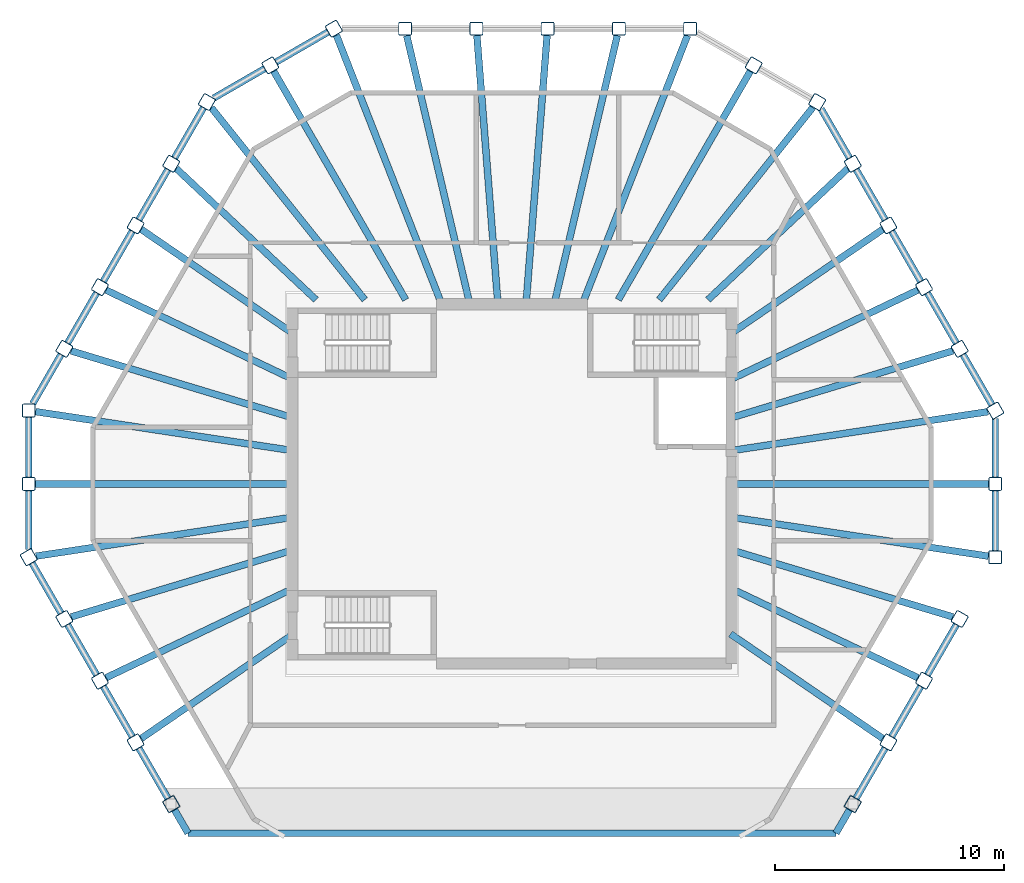
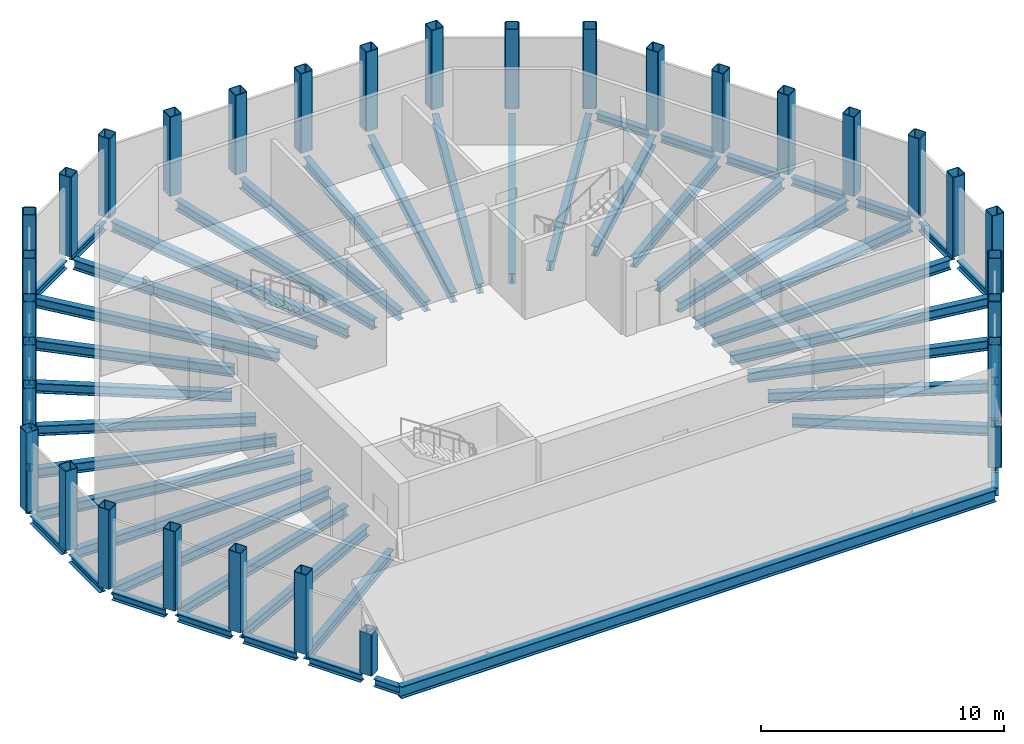
# One storey, part 1 of 5: 56 beams, 32 columns.
"""IFC4 building model written with IfcOpenShell, lengths in metres."""

from ifc_helpers import new_model, si_unit, direction, frame, origin, origin_2d, place, context, subcontext, project, spatial, hollow_rectangle, i_section, extrude, material, material_profile, profile_set, type_object, element, save


model = new_model("IFC4")

# Units and contexts
model_context = context("Model", 3, precision=1e-05, world=origin(), true_north=direction((0.0, 1.0)))
body_context = subcontext(model_context, "Body", "Model", "MODEL_VIEW")
ifc_project = project(units=[si_unit("LENGTHUNIT", "METRE"), si_unit("AREAUNIT", "SQUARE_METRE"), si_unit("VOLUMEUNIT", "CUBIC_METRE"), si_unit("PLANEANGLEUNIT", "RADIAN"), si_unit("MASSUNIT", "GRAM", prefix="KILO")], contexts=[model_context])

# Site, building, storey
site_placement = place(None, origin())
site = spatial("IfcSite", under=ifc_project, at=site_placement, CompositionType="ELEMENT")
building_placement = place(site_placement, origin())
building = spatial("IfcBuilding", under=site, at=building_placement, Name="Frailejon Research Tower", CompositionType="ELEMENT")
storey_placement = place(building_placement, frame((0.0, 0.0, 348.60009765625)))
storey = spatial("IfcBuildingStorey", under=building, at=storey_placement, Name="L78", CompositionType="ELEMENT", Elevation=348.60009765625)

# Columns
ifc_material_1 = material(Name="Steel S355", Category="steel")
ifc_material_profile_1 = material_profile(ifc_material_1, hollow_rectangle(XDim=0.60009765625, YDim=0.60009765625, WallThickness=0.0400390625, InnerFilletRadius=0.0400390625, OuterFilletRadius=0.080078125, at=origin_2d()), Name="Crown column")
ifc_profile_set_1 = profile_set([ifc_material_profile_1], Name="Steel S355")
column_type = type_object("IfcColumnType", Name="Crown column", PredefinedType="COLUMN", material=ifc_profile_set_1)
for number, where, z_axis, x_axis, name in (
    (1, (21.12744140625, -3.2060546875, 0.0), (0.0, 0.0, 1.0), (0.0, 1.0, 0.0), "Column C01"),
    (2, (21.12744140625, 0.0, 0.0), (0.0, 0.0, 1.0), (0.0, 1.0, 0.0), "Column C02"),
    (3, (21.12744140625, 3.2060546875, 0.0), (0.0, 0.0, 1.0), (-0.5, 0.866025403784, 0.0), "Column C03"),
    (4, (19.570068359375, 5.903564453125, 0.0), (0.0, 0.0, 1.0), (-0.5, 0.866025403784, 0.0), "Column C04"),
    (5, (18.0126953125, 8.601318359375, 0.0), (0.0, 0.0, 1.0), (-0.5, 0.866025403784, 0.0), "Column C05"),
    (6, (16.455078125, 11.298828125, 0.0), (0.0, 0.0, 1.0), (-0.5, 0.866025403784, 0.0), "Column C06"),
    (7, (14.897705078125, 13.996337890625, 0.0), (0.0, 0.0, 1.0), (-0.5, 0.866025403784, 0.0), "Column C07"),
    (8, (13.34033203125, 16.69384765625, 0.0), (0.0, 0.0, 1.0), (-0.866025403784, 0.5, 0.0), "Column C08"),
    (9, (10.563720703125, 18.297119140625, 0.0), (0.0, 0.0, 1.0), (-0.866025403784, 0.5, 0.0), "Column C09"),
    (10, (7.787109375, 19.89990234375, 0.0), (0.0, 0.0, 1.0), (-1.0, 0.0, 0.0), "Column C10"),
    (11, (4.67236328125, 19.89990234375, 0.0), (0.0, 0.0, 1.0), (-1.0, 0.0, 0.0), "Column C11"),
    (12, (1.557373046875, 19.89990234375, 0.0), (0.0, 0.0, 1.0), (-1.0, 0.0, 0.0), "Column C12"),
    (13, (-1.557373046875, 19.89990234375, 0.0), (0.0, 0.0, 1.0), (-1.0, 0.0, 0.0), "Column C13"),
    (14, (-4.67236328125, 19.89990234375, 0.0), (0.0, 0.0, 1.0), (-1.0, 0.0, 0.0), "Column C14"),
    (15, (-7.787109375, 19.89990234375, 0.0), (0.0, 0.0, 1.0), (-0.866025403784, -0.5, 0.0), "Column C15"),
    (16, (-10.563720703125, 18.297119140625, 0.0), (0.0, 0.0, 1.0), (-0.866025403784, -0.5, 0.0), "Column C16"),
    (17, (-13.34033203125, 16.69384765625, 0.0), (0.0, 0.0, 1.0), (-0.5, -0.866025403784, 0.0), "Column C17"),
    (18, (-14.897705078125, 13.996337890625, 0.0), (0.0, 0.0, 1.0), (-0.5, -0.866025403784, 0.0), "Column C18"),
    (19, (-16.455078125, 11.298828125, 0.0), (0.0, 0.0, 1.0), (-0.5, -0.866025403784, 0.0), "Column C19"),
    (20, (-18.0126953125, 8.601318359375, 0.0), (0.0, 0.0, 1.0), (-0.5, -0.866025403784, 0.0), "Column C20"),
    (21, (-19.570068359375, 5.903564453125, 0.0), (0.0, 0.0, 1.0), (-0.5, -0.866025403784, 0.0), "Column C21"),
    (22, (-21.12744140625, 3.2060546875, 0.0), (0.0, 0.0, 1.0), (0.0, -1.0, 0.0), "Column C22"),
    (23, (-21.12744140625, 0.0, 0.0), (0.0, 0.0, 1.0), (0.0, -1.0, 0.0), "Column C23"),
    (24, (-21.12744140625, -3.2060546875, 0.0), (0.0, 0.0, 1.0), (0.5, -0.866025403784, 0.0), "Column C24"),
    (25, (-19.570068359375, -5.903564453125, 0.0), (0.0, 0.0, 1.0), (0.5, -0.866025403784, 0.0), "Column C25"),
    (26, (-18.0126953125, -8.601318359375, 0.0), (0.0, 0.0, 1.0), (0.5, -0.866025403784, 0.0), "Column C26"),
    (27, (-16.455078125, -11.298828125, 0.0), (0.0, 0.0, 1.0), (0.5, -0.866025403784, 0.0), "Column C27"),
):
    element("IfcColumn", number, at=place(storey_placement, frame(where, z_axis=z_axis, x_axis=x_axis)), inside=storey, type_object=column_type, Name=name, PredefinedType="COLUMN", context=body_context, shape_type="SweptSolid", body=[
        extrude(hollow_rectangle(XDim=0.60009765625, YDim=0.60009765625, WallThickness=0.0400390625, InnerFilletRadius=0.0400390625, OuterFilletRadius=0.080078125, at=origin_2d()), origin(), (0.0, 0.0, 1.0), 4.0),
    ])
for number, where, z_axis, x_axis, name in (
    (28, (-14.897705078125, -13.996337890625, 0.0), (0.0, 0.0, 1.0), (0.5, -0.866025403784, 0.0), "Column C28"),
    (29, (14.897705078125, -13.996337890625, 0.0), (0.0, 0.0, 1.0), (0.5, 0.866025403784, 0.0), "Column C39"),
):
    element("IfcColumn", number, at=place(storey_placement, frame(where, z_axis=z_axis, x_axis=x_axis)), inside=storey, type_object=column_type, Name=name, PredefinedType="COLUMN", context=body_context, shape_type="SweptSolid", body=[
        extrude(hollow_rectangle(XDim=0.60009765625, YDim=0.60009765625, WallThickness=0.0400390625, InnerFilletRadius=0.0400390625, OuterFilletRadius=0.080078125, at=origin_2d()), origin(), (0.0, 0.0, 1.0), 2.111328125),
    ])
for number, where, z_axis, x_axis, name in (
    (30, (16.455078125, -11.298828125, 0.0), (0.0, 0.0, 1.0), (0.5, 0.866025403784, 0.0), "Column C40"),
    (31, (18.0126953125, -8.601318359375, 0.0), (0.0, 0.0, 1.0), (0.5, 0.866025403784, 0.0), "Column C41"),
    (32, (19.570068359375, -5.903564453125, 0.0), (0.0, 0.0, 1.0), (0.5, 0.866025403784, 0.0), "Column C42"),
):
    element("IfcColumn", number, at=place(storey_placement, frame(where, z_axis=z_axis, x_axis=x_axis)), inside=storey, type_object=column_type, Name=name, PredefinedType="COLUMN", context=body_context, shape_type="SweptSolid", body=[
        extrude(hollow_rectangle(XDim=0.60009765625, YDim=0.60009765625, WallThickness=0.0400390625, InnerFilletRadius=0.0400390625, OuterFilletRadius=0.080078125, at=origin_2d()), origin(), (0.0, 0.0, 1.0), 4.0),
    ])

# Beams
ifc_material_2 = material(Name="Steel S355", Category="steel")
ifc_material_profile_2 = material_profile(ifc_material_2, i_section(OverallWidth=0.300048828125, OverallDepth=0.60009765625, WebThickness=0.015380859375, FlangeThickness=0.030029296875, FilletRadius=0.027099609375, at=origin_2d()), Name="HE 600 B")
ifc_profile_set_2 = profile_set([ifc_material_profile_2], Name="Steel S355")
beam_type_1 = type_object("IfcBeamType", Name="Crown chord beam", PredefinedType="BEAM", material=ifc_profile_set_2)
beam_1_placement = place(storey_placement, frame((14.162841796875, -15.26904296875, -0.5), z_axis=(-1.0, 0.0, 0.0), x_axis=(0.0, -1.0, 0.0)))
element("IfcBeam", 33, at=beam_1_placement, inside=storey, type_object=beam_type_1, Name="Crown chord beam", PredefinedType="BEAM", context=body_context, shape_type="SweptSolid", body=[
    extrude(i_section(OverallWidth=0.300048828125, OverallDepth=0.60009765625, WebThickness=0.015380859375, FlangeThickness=0.030029296875, FilletRadius=0.027099609375, at=origin_2d()), origin(), (0.0, 0.0, 1.0), 28.32568359375),
])
ifc_material_3 = material(Name="Steel S355", Category="steel")
ifc_material_profile_3 = material_profile(ifc_material_3, i_section(OverallWidth=0.300048828125, OverallDepth=0.5, WebThickness=0.014404296875, FlangeThickness=0.028076171875, FilletRadius=0.027099609375, at=origin_2d()), Name="HE 500 B")
ifc_profile_set_3 = profile_set([ifc_material_profile_3], Name="Steel S355")
beam_type_2 = type_object("IfcBeamType", Name="Crown girder", PredefinedType="BEAM", material=ifc_profile_set_3)
beam_2_placement = place(storey_placement, frame((20.827392578125, -3.16064453125, -0.4501953125), z_axis=(-0.988679931641, 0.150039970575, 0.0), x_axis=(-0.150039970575, -0.988679931641, 0.0)))
element("IfcBeam", 34, at=beam_2_placement, inside=storey, type_object=beam_type_2, Name="Crown girder", PredefinedType="BEAM", context=body_context, shape_type="SweptSolid", body=[
    extrude(i_section(OverallWidth=0.300048828125, OverallDepth=0.5, WebThickness=0.014404296875, FlangeThickness=0.028076171875, FilletRadius=0.027099609375, at=origin_2d()), origin(), (0.0, 0.0, 1.0), 11.406494140625),
])
beam_3_placement = place(storey_placement, frame((20.827392578125, 0.0, -0.4501953125), z_axis=(-1.0, 0.0, 0.0), x_axis=(0.0, -1.0, 0.0)))
element("IfcBeam", 35, at=beam_3_placement, inside=storey, type_object=beam_type_2, Name="Crown girder", PredefinedType="BEAM", context=body_context, shape_type="SweptSolid", body=[
    extrude(i_section(OverallWidth=0.300048828125, OverallDepth=0.5, WebThickness=0.014404296875, FlangeThickness=0.028076171875, FilletRadius=0.027099609375, at=origin_2d()), origin(), (0.0, 0.0, 1.0), 11.27734375),
])
beam_4_placement = place(storey_placement, frame((20.80908203125, 3.15771484375, -0.4501953125), z_axis=(-0.988681897443, -0.150027016465, 0.0), x_axis=(0.150027016465, -0.988681897443, 0.0)))
element("IfcBeam", 36, at=beam_4_placement, inside=storey, type_object=beam_type_2, Name="Crown girder", PredefinedType="BEAM", context=body_context, shape_type="SweptSolid", body=[
    extrude(i_section(OverallWidth=0.300048828125, OverallDepth=0.5, WebThickness=0.014404296875, FlangeThickness=0.028076171875, FilletRadius=0.027099609375, at=origin_2d()), origin(), (0.0, 0.0, 1.0), 11.387939453125),
])
beam_5_placement = place(storey_placement, frame((19.275146484375, 5.814697265625, -0.4501953125), z_axis=(-0.957383273928, -0.288820475041, 0.0), x_axis=(0.288820475041, -0.957383273928, 0.0)))
element("IfcBeam", 37, at=beam_5_placement, inside=storey, type_object=beam_type_2, Name="Crown girder", PredefinedType="BEAM", context=body_context, shape_type="SweptSolid", body=[
    extrude(i_section(OverallWidth=0.300048828125, OverallDepth=0.5, WebThickness=0.014404296875, FlangeThickness=0.028076171875, FilletRadius=0.027099609375, at=origin_2d()), origin(), (0.0, 0.0, 1.0), 10.157958984375),
])
beam_6_placement = place(storey_placement, frame((17.7412109375, 8.471435546875, -0.4501953125), z_axis=(-0.902407599348, -0.430883423491, 0.0), x_axis=(0.430883423491, -0.902407599348, 0.0)))
element("IfcBeam", 38, at=beam_6_placement, inside=storey, type_object=beam_type_2, Name="Crown girder", PredefinedType="BEAM", context=body_context, shape_type="SweptSolid", body=[
    extrude(i_section(OverallWidth=0.300048828125, OverallDepth=0.5, WebThickness=0.014404296875, FlangeThickness=0.028076171875, FilletRadius=0.027099609375, at=origin_2d()), origin(), (0.0, 0.0, 1.0), 9.076904296875),
])
beam_7_placement = place(storey_placement, frame((16.20703125, 11.12841796875, -0.4501953125), z_axis=(-0.824367295754, -0.566055263814, 0.0), x_axis=(0.566055263814, -0.824367295754, 0.0)))
element("IfcBeam", 39, at=beam_7_placement, inside=storey, type_object=beam_type_2, Name="Crown girder", PredefinedType="BEAM", context=body_context, shape_type="SweptSolid", body=[
    extrude(i_section(OverallWidth=0.300048828125, OverallDepth=0.5, WebThickness=0.014404296875, FlangeThickness=0.028076171875, FilletRadius=0.027099609375, at=origin_2d()), origin(), (0.0, 0.0, 1.0), 8.0751953125),
])
beam_8_placement = place(storey_placement, frame((14.673095703125, 13.785400390625, -0.4501953125), z_axis=(-0.728812369992, -0.684713465141, 0.0), x_axis=(0.684713465141, -0.728812369992, 0.0)))
element("IfcBeam", 40, at=beam_8_placement, inside=storey, type_object=beam_type_2, Name="Crown girder", PredefinedType="BEAM", context=body_context, shape_type="SweptSolid", body=[
    extrude(i_section(OverallWidth=0.300048828125, OverallDepth=0.5, WebThickness=0.014404296875, FlangeThickness=0.028076171875, FilletRadius=0.027099609375, at=origin_2d()), origin(), (0.0, 0.0, 1.0), 8.376220703125),
])
beam_9_placement = place(storey_placement, frame((13.15087890625, 16.456787109375, -0.4501953125), z_axis=(-0.624277186009, -0.781202915399, 0.0), x_axis=(0.781202915399, -0.624277186009, 0.0)))
element("IfcBeam", 41, at=beam_9_placement, inside=storey, type_object=beam_type_2, Name="Crown girder", PredefinedType="BEAM", context=body_context, shape_type="SweptSolid", body=[
    extrude(i_section(OverallWidth=0.300048828125, OverallDepth=0.5, WebThickness=0.014404296875, FlangeThickness=0.028076171875, FilletRadius=0.027099609375, at=origin_2d()), origin(), (0.0, 0.0, 1.0), 10.76123046875),
])
beam_10_placement = place(storey_placement, frame((10.413818359375, 18.037109375, -0.4501953125), z_axis=(-0.500005279996, -0.866022355356, 0.0), x_axis=(0.866022355356, -0.500005279996, 0.0)))
element("IfcBeam", 42, at=beam_10_placement, inside=storey, type_object=beam_type_2, Name="Crown girder", PredefinedType="BEAM", context=body_context, shape_type="SweptSolid", body=[
    extrude(i_section(OverallWidth=0.300048828125, OverallDepth=0.5, WebThickness=0.014404296875, FlangeThickness=0.028076171875, FilletRadius=0.027099609375, at=origin_2d()), origin(), (0.0, 0.0, 1.0), 11.5322265625),
])
beam_11_placement = place(storey_placement, frame((7.669921875, 19.60009765625, -0.4501953125), z_axis=(-0.364412707951, -0.931237552015, 0.0), x_axis=(0.931237552015, -0.364412707951, 0.0)))
element("IfcBeam", 43, at=beam_11_placement, inside=storey, type_object=beam_type_2, Name="Crown girder", PredefinedType="BEAM", context=body_context, shape_type="SweptSolid", body=[
    extrude(i_section(OverallWidth=0.300048828125, OverallDepth=0.5, WebThickness=0.014404296875, FlangeThickness=0.028076171875, FilletRadius=0.027099609375, at=origin_2d()), origin(), (0.0, 0.0, 1.0), 12.40283203125),
])
beam_12_placement = place(storey_placement, frame((4.601806640625, 19.60009765625, -0.4501953125), z_axis=(-0.228561016932, -0.973529589452, 0.0), x_axis=(0.973529589452, -0.228561016932, 0.0)))
element("IfcBeam", 44, at=beam_12_placement, inside=storey, type_object=beam_type_2, Name="Crown girder", PredefinedType="BEAM", context=body_context, shape_type="SweptSolid", body=[
    extrude(i_section(OverallWidth=0.300048828125, OverallDepth=0.5, WebThickness=0.014404296875, FlangeThickness=0.028076171875, FilletRadius=0.027099609375, at=origin_2d()), origin(), (0.0, 0.0, 1.0), 11.864013671875),
])
for number, where, z_axis, x_axis, name in (
    (45, (1.533935546875, 19.60009765625, -0.4501953125), (-0.078033956508, -0.996950701706, 0.0), (0.996950701706, -0.078033956508, 0.0), "Crown girder"),
    (46, (-1.533935546875, 19.60009765625, -0.4501953125), (0.078033956508, -0.996950701706, 0.0), (0.996950701706, 0.078033956508, 0.0), "Crown girder"),
):
    element("IfcBeam", number, at=place(storey_placement, frame(where, z_axis=z_axis, x_axis=x_axis)), inside=storey, type_object=beam_type_2, Name=name, PredefinedType="BEAM", context=body_context, shape_type="SweptSolid", body=[
        extrude(i_section(OverallWidth=0.300048828125, OverallDepth=0.5, WebThickness=0.014404296875, FlangeThickness=0.028076171875, FilletRadius=0.027099609375, at=origin_2d()), origin(), (0.0, 0.0, 1.0), 11.58544921875),
    ])
beam_13_placement = place(storey_placement, frame((-4.601806640625, 19.60009765625, -0.4501953125), z_axis=(0.228561016932, -0.973529589452, 0.0), x_axis=(0.973529589452, 0.228561016932, 0.0)))
element("IfcBeam", 47, at=beam_13_placement, inside=storey, type_object=beam_type_2, Name="Crown girder", PredefinedType="BEAM", context=body_context, shape_type="SweptSolid", body=[
    extrude(i_section(OverallWidth=0.300048828125, OverallDepth=0.5, WebThickness=0.014404296875, FlangeThickness=0.028076171875, FilletRadius=0.027099609375, at=origin_2d()), origin(), (0.0, 0.0, 1.0), 11.864013671875),
])
beam_14_placement = place(storey_placement, frame((-7.676513671875, 19.617431640625, -0.4501953125), z_axis=(0.364399348581, -0.931242779706, 0.0), x_axis=(0.931242779706, 0.364399348581, 0.0)))
element("IfcBeam", 48, at=beam_14_placement, inside=storey, type_object=beam_type_2, Name="Crown girder", PredefinedType="BEAM", context=body_context, shape_type="SweptSolid", body=[
    extrude(i_section(OverallWidth=0.300048828125, OverallDepth=0.5, WebThickness=0.014404296875, FlangeThickness=0.028076171875, FilletRadius=0.027099609375, at=origin_2d()), origin(), (0.0, 0.0, 1.0), 12.42138671875),
])
beam_15_placement = place(storey_placement, frame((-10.413818359375, 18.037109375, -0.4501953125), z_axis=(0.500005279996, -0.866022355356, 0.0), x_axis=(0.866022355356, 0.500005279996, 0.0)))
element("IfcBeam", 49, at=beam_15_placement, inside=storey, type_object=beam_type_2, Name="Crown girder", PredefinedType="BEAM", context=body_context, shape_type="SweptSolid", body=[
    extrude(i_section(OverallWidth=0.300048828125, OverallDepth=0.5, WebThickness=0.014404296875, FlangeThickness=0.028076171875, FilletRadius=0.027099609375, at=origin_2d()), origin(), (0.0, 0.0, 1.0), 11.5322265625),
])
beam_16_placement = place(storey_placement, frame((-13.13916015625, 16.442138671875, -0.4501953125), z_axis=(0.624276456161, -0.781203498637, 0.0), x_axis=(0.781203498637, 0.624276456161, 0.0)))
element("IfcBeam", 50, at=beam_16_placement, inside=storey, type_object=beam_type_2, Name="Crown girder", PredefinedType="BEAM", context=body_context, shape_type="SweptSolid", body=[
    extrude(i_section(OverallWidth=0.300048828125, OverallDepth=0.5, WebThickness=0.014404296875, FlangeThickness=0.028076171875, FilletRadius=0.027099609375, at=origin_2d()), origin(), (0.0, 0.0, 1.0), 10.742431640625),
])
beam_17_placement = place(storey_placement, frame((-14.673095703125, 13.785400390625, -0.4501953125), z_axis=(0.728812369992, -0.684713465141, 0.0), x_axis=(0.684713465141, 0.728812369992, 0.0)))
element("IfcBeam", 51, at=beam_17_placement, inside=storey, type_object=beam_type_2, Name="Crown girder", PredefinedType="BEAM", context=body_context, shape_type="SweptSolid", body=[
    extrude(i_section(OverallWidth=0.300048828125, OverallDepth=0.5, WebThickness=0.014404296875, FlangeThickness=0.028076171875, FilletRadius=0.027099609375, at=origin_2d()), origin(), (0.0, 0.0, 1.0), 8.376220703125),
])
beam_18_placement = place(storey_placement, frame((-16.20703125, 11.12841796875, -0.4501953125), z_axis=(0.824367295754, -0.566055263814, 0.0), x_axis=(0.566055263814, 0.824367295754, 0.0)))
element("IfcBeam", 52, at=beam_18_placement, inside=storey, type_object=beam_type_2, Name="Crown girder", PredefinedType="BEAM", context=body_context, shape_type="SweptSolid", body=[
    extrude(i_section(OverallWidth=0.300048828125, OverallDepth=0.5, WebThickness=0.014404296875, FlangeThickness=0.028076171875, FilletRadius=0.027099609375, at=origin_2d()), origin(), (0.0, 0.0, 1.0), 8.0751953125),
])
beam_19_placement = place(storey_placement, frame((-17.7412109375, 8.471435546875, -0.4501953125), z_axis=(0.902407599348, -0.430883423491, 0.0), x_axis=(0.430883423491, 0.902407599348, 0.0)))
element("IfcBeam", 53, at=beam_19_placement, inside=storey, type_object=beam_type_2, Name="Crown girder", PredefinedType="BEAM", context=body_context, shape_type="SweptSolid", body=[
    extrude(i_section(OverallWidth=0.300048828125, OverallDepth=0.5, WebThickness=0.014404296875, FlangeThickness=0.028076171875, FilletRadius=0.027099609375, at=origin_2d()), origin(), (0.0, 0.0, 1.0), 9.076904296875),
])
beam_20_placement = place(storey_placement, frame((-19.275146484375, 5.814697265625, -0.4501953125), z_axis=(0.957383273928, -0.288820475041, 0.0), x_axis=(0.288820475041, 0.957383273928, 0.0)))
element("IfcBeam", 54, at=beam_20_placement, inside=storey, type_object=beam_type_2, Name="Crown girder", PredefinedType="BEAM", context=body_context, shape_type="SweptSolid", body=[
    extrude(i_section(OverallWidth=0.300048828125, OverallDepth=0.5, WebThickness=0.014404296875, FlangeThickness=0.028076171875, FilletRadius=0.027099609375, at=origin_2d()), origin(), (0.0, 0.0, 1.0), 10.157958984375),
])
beam_21_placement = place(storey_placement, frame((-20.827392578125, 3.16064453125, -0.4501953125), z_axis=(0.988679931641, -0.150039970575, 0.0), x_axis=(0.150039970575, 0.988679931641, 0.0)))
element("IfcBeam", 55, at=beam_21_placement, inside=storey, type_object=beam_type_2, Name="Crown girder", PredefinedType="BEAM", context=body_context, shape_type="SweptSolid", body=[
    extrude(i_section(OverallWidth=0.300048828125, OverallDepth=0.5, WebThickness=0.014404296875, FlangeThickness=0.028076171875, FilletRadius=0.027099609375, at=origin_2d()), origin(), (0.0, 0.0, 1.0), 11.406494140625),
])
beam_22_placement = place(storey_placement, frame((-20.827392578125, 0.0, -0.4501953125), z_axis=(1.0, 0.0, 0.0), x_axis=(0.0, 1.0, 0.0)))
element("IfcBeam", 56, at=beam_22_placement, inside=storey, type_object=beam_type_2, Name="Crown girder", PredefinedType="BEAM", context=body_context, shape_type="SweptSolid", body=[
    extrude(i_section(OverallWidth=0.300048828125, OverallDepth=0.5, WebThickness=0.014404296875, FlangeThickness=0.028076171875, FilletRadius=0.027099609375, at=origin_2d()), origin(), (0.0, 0.0, 1.0), 11.27734375),
])
beam_23_placement = place(storey_placement, frame((-20.80908203125, -3.15771484375, -0.4501953125), z_axis=(0.988681897443, 0.150027016465, 0.0), x_axis=(-0.150027016465, 0.988681897443, 0.0)))
element("IfcBeam", 57, at=beam_23_placement, inside=storey, type_object=beam_type_2, Name="Crown girder", PredefinedType="BEAM", context=body_context, shape_type="SweptSolid", body=[
    extrude(i_section(OverallWidth=0.300048828125, OverallDepth=0.5, WebThickness=0.014404296875, FlangeThickness=0.028076171875, FilletRadius=0.027099609375, at=origin_2d()), origin(), (0.0, 0.0, 1.0), 11.387939453125),
])
beam_24_placement = place(storey_placement, frame((-19.275146484375, -5.814697265625, -0.4501953125), z_axis=(0.957383273928, 0.288820475041, 0.0), x_axis=(-0.288820475041, 0.957383273928, 0.0)))
element("IfcBeam", 58, at=beam_24_placement, inside=storey, type_object=beam_type_2, Name="Crown girder", PredefinedType="BEAM", context=body_context, shape_type="SweptSolid", body=[
    extrude(i_section(OverallWidth=0.300048828125, OverallDepth=0.5, WebThickness=0.014404296875, FlangeThickness=0.028076171875, FilletRadius=0.027099609375, at=origin_2d()), origin(), (0.0, 0.0, 1.0), 10.157958984375),
])
beam_25_placement = place(storey_placement, frame((-17.7412109375, -8.471435546875, -0.4501953125), z_axis=(0.902407599348, 0.430883423491, 0.0), x_axis=(-0.430883423491, 0.902407599348, 0.0)))
element("IfcBeam", 59, at=beam_25_placement, inside=storey, type_object=beam_type_2, Name="Crown girder", PredefinedType="BEAM", context=body_context, shape_type="SweptSolid", body=[
    extrude(i_section(OverallWidth=0.300048828125, OverallDepth=0.5, WebThickness=0.014404296875, FlangeThickness=0.028076171875, FilletRadius=0.027099609375, at=origin_2d()), origin(), (0.0, 0.0, 1.0), 9.076904296875),
])
for number, where, z_axis, x_axis, name in (
    (60, (-16.20703125, -11.12841796875, -0.4501953125), (0.824367295754, 0.566055263814, 0.0), (-0.566055263814, 0.824367295754, 0.0), "Crown girder"),
    (61, (16.20703125, -11.12841796875, -0.4501953125), (-0.824367295754, 0.566055263814, 0.0), (-0.566055263814, -0.824367295754, 0.0), "Crown girder"),
):
    element("IfcBeam", number, at=place(storey_placement, frame(where, z_axis=z_axis, x_axis=x_axis)), inside=storey, type_object=beam_type_2, Name=name, PredefinedType="BEAM", context=body_context, shape_type="SweptSolid", body=[
        extrude(i_section(OverallWidth=0.300048828125, OverallDepth=0.5, WebThickness=0.014404296875, FlangeThickness=0.028076171875, FilletRadius=0.027099609375, at=origin_2d()), origin(), (0.0, 0.0, 1.0), 8.0751953125),
    ])
beam_26_placement = place(storey_placement, frame((17.7412109375, -8.471435546875, -0.4501953125), z_axis=(-0.902407599348, 0.430883423491, 0.0), x_axis=(-0.430883423491, -0.902407599348, 0.0)))
element("IfcBeam", 62, at=beam_26_placement, inside=storey, type_object=beam_type_2, Name="Crown girder", PredefinedType="BEAM", context=body_context, shape_type="SweptSolid", body=[
    extrude(i_section(OverallWidth=0.300048828125, OverallDepth=0.5, WebThickness=0.014404296875, FlangeThickness=0.028076171875, FilletRadius=0.027099609375, at=origin_2d()), origin(), (0.0, 0.0, 1.0), 9.076904296875),
])
beam_27_placement = place(storey_placement, frame((19.275146484375, -5.814697265625, -0.4501953125), z_axis=(-0.957383273928, 0.288820475041, 0.0), x_axis=(-0.288820475041, -0.957383273928, 0.0)))
element("IfcBeam", 63, at=beam_27_placement, inside=storey, type_object=beam_type_2, Name="Crown girder", PredefinedType="BEAM", context=body_context, shape_type="SweptSolid", body=[
    extrude(i_section(OverallWidth=0.300048828125, OverallDepth=0.5, WebThickness=0.014404296875, FlangeThickness=0.028076171875, FilletRadius=0.027099609375, at=origin_2d()), origin(), (0.0, 0.0, 1.0), 10.157958984375),
])
ifc_material_4 = material(Name="Steel S355", Category="steel")
ifc_material_profile_4 = material_profile(ifc_material_4, i_section(OverallWidth=0.300048828125, OverallDepth=0.39990234375, WebThickness=0.013427734375, FlangeThickness=0.02392578125, FilletRadius=0.027099609375, at=origin_2d()), Name="HE 400 B")
ifc_profile_set_4 = profile_set([ifc_material_profile_4], Name="Steel S355")
beam_type_3 = type_object("IfcBeamType", Name="Crown ring beam", PredefinedType="BEAM", material=ifc_profile_set_4)
beam_28_placement = place(storey_placement, frame((21.12744140625, -2.906005859375, -0.400146484375), z_axis=(0.0, 1.0, 0.0), x_axis=(-1.0, 0.0, 0.0)))
element("IfcBeam", 64, at=beam_28_placement, inside=storey, type_object=beam_type_3, Name="Crown ring beam", PredefinedType="BEAM", context=body_context, shape_type="SweptSolid", body=[
    extrude(i_section(OverallWidth=0.300048828125, OverallDepth=0.39990234375, WebThickness=0.013427734375, FlangeThickness=0.02392578125, FilletRadius=0.027099609375, at=origin_2d()), origin(), (0.0, 0.0, 1.0), 2.60595703125),
])
beam_29_placement = place(storey_placement, frame((21.12744140625, 0.300048828125, -0.400146484375), z_axis=(0.0, 1.0, 0.0), x_axis=(-1.0, 0.0, 0.0)))
element("IfcBeam", 65, at=beam_29_placement, inside=storey, type_object=beam_type_3, Name="Crown ring beam", PredefinedType="BEAM", context=body_context, shape_type="SweptSolid", body=[
    extrude(i_section(OverallWidth=0.300048828125, OverallDepth=0.39990234375, WebThickness=0.013427734375, FlangeThickness=0.02392578125, FilletRadius=0.027099609375, at=origin_2d()), origin(), (0.0, 0.0, 1.0), 2.5595703125),
])
for number, where, z_axis, x_axis, name in (
    (66, (20.9775390625, 3.4658203125, -0.400146484375), (-0.499960554673, 0.866048176357, 0.0), (-0.866048176357, -0.499960554673, 0.0), "Crown ring beam"),
    (67, (19.420166015625, 6.163330078125, -0.400146484375), (-0.500033362991, 0.866006140796, 0.0), (-0.866006140796, -0.500033362991, 0.0), "Crown ring beam"),
    (68, (17.862548828125, 8.861083984375, -0.400146484375), (-0.499960554673, 0.866048176357, 0.0), (-0.866048176357, -0.499960554673, 0.0), "Crown ring beam"),
    (69, (16.30517578125, 11.55859375, -0.400146484375), (-0.500033362991, 0.866006140796, 0.0), (-0.866006140796, -0.500033362991, 0.0), "Crown ring beam"),
):
    element("IfcBeam", number, at=place(storey_placement, frame(where, z_axis=z_axis, x_axis=x_axis)), inside=storey, type_object=beam_type_3, Name=name, PredefinedType="BEAM", context=body_context, shape_type="SweptSolid", body=[
        extrude(i_section(OverallWidth=0.300048828125, OverallDepth=0.39990234375, WebThickness=0.013427734375, FlangeThickness=0.02392578125, FilletRadius=0.027099609375, at=origin_2d()), origin(), (0.0, 0.0, 1.0), 2.514892578125),
    ])
beam_30_placement = place(storey_placement, frame((14.747802734375, 14.256103515625, -0.400146484375), z_axis=(-0.500053484023, 0.865994522568, 0.0), x_axis=(-0.865994522568, -0.500053484023, 0.0)))
element("IfcBeam", 70, at=beam_30_placement, inside=storey, type_object=beam_type_3, Name="Crown ring beam", PredefinedType="BEAM", context=body_context, shape_type="SweptSolid", body=[
    extrude(i_section(OverallWidth=0.300048828125, OverallDepth=0.39990234375, WebThickness=0.013427734375, FlangeThickness=0.02392578125, FilletRadius=0.027099609375, at=origin_2d()), origin(), (0.0, 0.0, 1.0), 2.468505859375),
])
beam_31_placement = place(storey_placement, frame((-8.047119140625, 19.75, -0.400146484375), z_axis=(-0.866026453994, -0.499998180979, 0.0), x_axis=(0.499998180979, -0.866026453994, 0.0)))
element("IfcBeam", 71, at=beam_31_placement, inside=storey, type_object=beam_type_3, Name="Crown ring beam", PredefinedType="BEAM", context=body_context, shape_type="SweptSolid", body=[
    extrude(i_section(OverallWidth=0.300048828125, OverallDepth=0.39990234375, WebThickness=0.013427734375, FlangeThickness=0.02392578125, FilletRadius=0.027099609375, at=origin_2d()), origin(), (0.0, 0.0, 1.0), 2.60595703125),
])
beam_32_placement = place(storey_placement, frame((-10.823486328125, 18.14697265625, -0.400146484375), z_axis=(-0.866039463868, -0.499975646431, 0.0), x_axis=(0.499975646431, -0.866039463868, 0.0)))
element("IfcBeam", 72, at=beam_32_placement, inside=storey, type_object=beam_type_3, Name="Crown ring beam", PredefinedType="BEAM", context=body_context, shape_type="SweptSolid", body=[
    extrude(i_section(OverallWidth=0.300048828125, OverallDepth=0.39990234375, WebThickness=0.013427734375, FlangeThickness=0.02392578125, FilletRadius=0.027099609375, at=origin_2d()), origin(), (0.0, 0.0, 1.0), 2.559814453125),
])
for number, where, z_axis, x_axis, name in (
    (73, (-13.490234375, 16.43408203125, -0.400146484375), (-0.500033362991, -0.866006140796, 0.0), (0.866006140796, -0.500033362991, 0.0), "Crown ring beam"),
    (74, (-15.047607421875, 13.736572265625, -0.400146484375), (-0.500033362991, -0.866006140796, 0.0), (0.866006140796, -0.500033362991, 0.0), "Crown ring beam"),
    (75, (-16.605224609375, 11.0390625, -0.400146484375), (-0.499960554673, -0.866048176357, 0.0), (0.866048176357, -0.499960554673, 0.0), "Crown ring beam"),
    (76, (-18.16259765625, 8.34130859375, -0.400146484375), (-0.500033362991, -0.866006140796, 0.0), (0.866006140796, -0.500033362991, 0.0), "Crown ring beam"),
):
    element("IfcBeam", number, at=place(storey_placement, frame(where, z_axis=z_axis, x_axis=x_axis)), inside=storey, type_object=beam_type_3, Name=name, PredefinedType="BEAM", context=body_context, shape_type="SweptSolid", body=[
        extrude(i_section(OverallWidth=0.300048828125, OverallDepth=0.39990234375, WebThickness=0.013427734375, FlangeThickness=0.02392578125, FilletRadius=0.027099609375, at=origin_2d()), origin(), (0.0, 0.0, 1.0), 2.514892578125),
    ])
beam_33_placement = place(storey_placement, frame((-19.72021484375, 5.643798828125, -0.400146484375), z_axis=(-0.499979306572, -0.866037350811, 0.0), x_axis=(0.866037350811, -0.499979306572, 0.0)))
element("IfcBeam", 77, at=beam_33_placement, inside=storey, type_object=beam_type_3, Name="Crown ring beam", PredefinedType="BEAM", context=body_context, shape_type="SweptSolid", body=[
    extrude(i_section(OverallWidth=0.300048828125, OverallDepth=0.39990234375, WebThickness=0.013427734375, FlangeThickness=0.02392578125, FilletRadius=0.027099609375, at=origin_2d()), origin(), (0.0, 0.0, 1.0), 2.46826171875),
])
beam_34_placement = place(storey_placement, frame((-21.12744140625, 2.906005859375, -0.400146484375), z_axis=(0.0, -1.0, 0.0), x_axis=(1.0, 0.0, 0.0)))
element("IfcBeam", 78, at=beam_34_placement, inside=storey, type_object=beam_type_3, Name="Crown ring beam", PredefinedType="BEAM", context=body_context, shape_type="SweptSolid", body=[
    extrude(i_section(OverallWidth=0.300048828125, OverallDepth=0.39990234375, WebThickness=0.013427734375, FlangeThickness=0.02392578125, FilletRadius=0.027099609375, at=origin_2d()), origin(), (0.0, 0.0, 1.0), 2.60595703125),
])
beam_35_placement = place(storey_placement, frame((-21.12744140625, -0.300048828125, -0.400146484375), z_axis=(0.0, -1.0, 0.0), x_axis=(1.0, 0.0, 0.0)))
element("IfcBeam", 79, at=beam_35_placement, inside=storey, type_object=beam_type_3, Name="Crown ring beam", PredefinedType="BEAM", context=body_context, shape_type="SweptSolid", body=[
    extrude(i_section(OverallWidth=0.300048828125, OverallDepth=0.39990234375, WebThickness=0.013427734375, FlangeThickness=0.02392578125, FilletRadius=0.027099609375, at=origin_2d()), origin(), (0.0, 0.0, 1.0), 2.5595703125),
])
for number, where, z_axis, x_axis, name in (
    (80, (-20.9775390625, -3.4658203125, -0.400146484375), (0.499960554673, -0.866048176357, 0.0), (0.866048176357, 0.499960554673, 0.0), "Crown ring beam"),
    (81, (-19.420166015625, -6.163330078125, -0.400146484375), (0.500033362991, -0.866006140796, 0.0), (0.866006140796, 0.500033362991, 0.0), "Crown ring beam"),
    (82, (-17.862548828125, -8.861083984375, -0.400146484375), (0.499960554673, -0.866048176357, 0.0), (0.866048176357, 0.499960554673, 0.0), "Crown ring beam"),
    (83, (-16.30517578125, -11.55859375, -0.400146484375), (0.500033362991, -0.866006140796, 0.0), (0.866006140796, 0.500033362991, 0.0), "Crown ring beam"),
    (84, (15.047607421875, -13.736572265625, -0.400146484375), (0.500033362991, 0.866006140796, 0.0), (-0.866006140796, 0.500033362991, 0.0), "Crown ring beam"),
    (85, (16.605224609375, -11.0390625, -0.400146484375), (0.499960554673, 0.866048176357, 0.0), (-0.866048176357, 0.499960554673, 0.0), "Crown ring beam"),
    (86, (18.16259765625, -8.34130859375, -0.400146484375), (0.500033362991, 0.866006140796, 0.0), (-0.866006140796, 0.500033362991, 0.0), "Crown ring beam"),
):
    element("IfcBeam", number, at=place(storey_placement, frame(where, z_axis=z_axis, x_axis=x_axis)), inside=storey, type_object=beam_type_3, Name=name, PredefinedType="BEAM", context=body_context, shape_type="SweptSolid", body=[
        extrude(i_section(OverallWidth=0.300048828125, OverallDepth=0.39990234375, WebThickness=0.013427734375, FlangeThickness=0.02392578125, FilletRadius=0.027099609375, at=origin_2d()), origin(), (0.0, 0.0, 1.0), 2.514892578125),
    ])
for number, where, z_axis, x_axis, name in (
    (87, (14.162841796875, -15.26904296875, -0.400146484375), (0.500089808901, 0.865973546382, 0.0), (-0.865973546382, 0.500089808901, 0.0), "Crown ring beam"),
    (88, (-14.162841796875, -15.26904296875, -0.400146484375), (-0.500089808901, 0.865973546382, 0.0), (-0.865973546382, -0.500089808901, 0.0), "Crown ring beam"),
):
    element("IfcBeam", number, at=place(storey_placement, frame(where, z_axis=z_axis, x_axis=x_axis)), inside=storey, type_object=beam_type_3, Name=name, PredefinedType="BEAM", context=body_context, shape_type="SweptSolid", body=[
        extrude(i_section(OverallWidth=0.300048828125, OverallDepth=0.39990234375, WebThickness=0.013427734375, FlangeThickness=0.02392578125, FilletRadius=0.027099609375, at=origin_2d()), origin(), (0.0, 0.0, 1.0), 1.169677734375),
    ])

save(model, "model.ifc")
